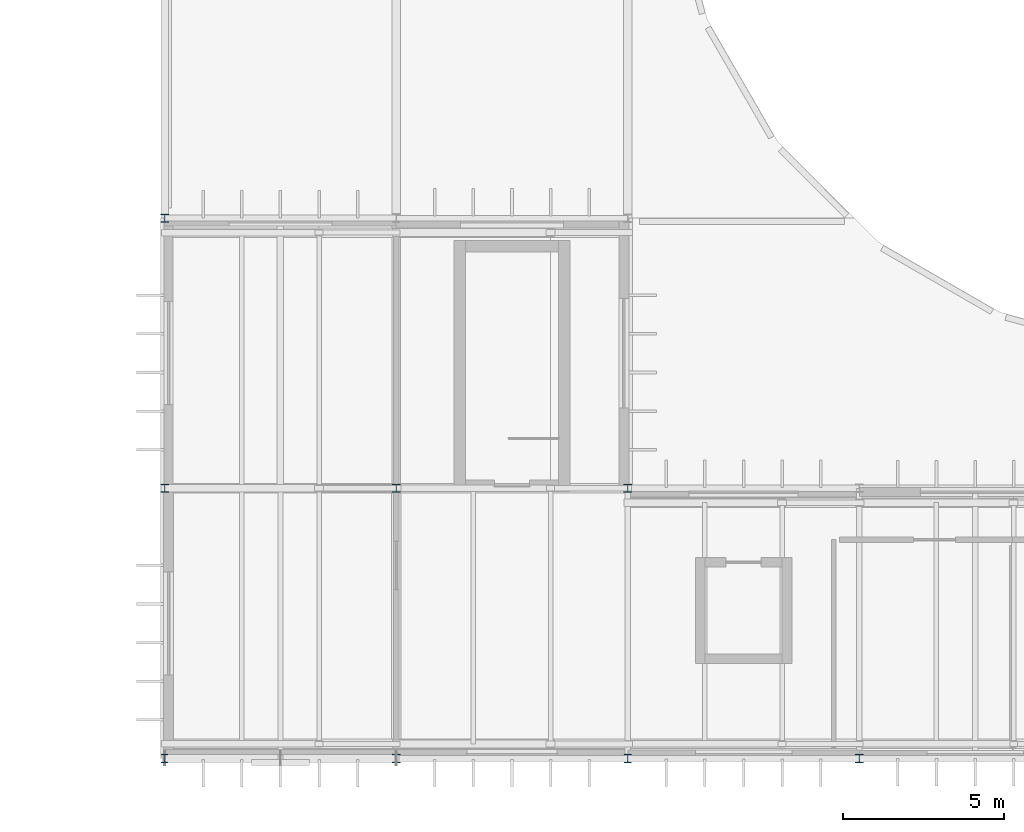
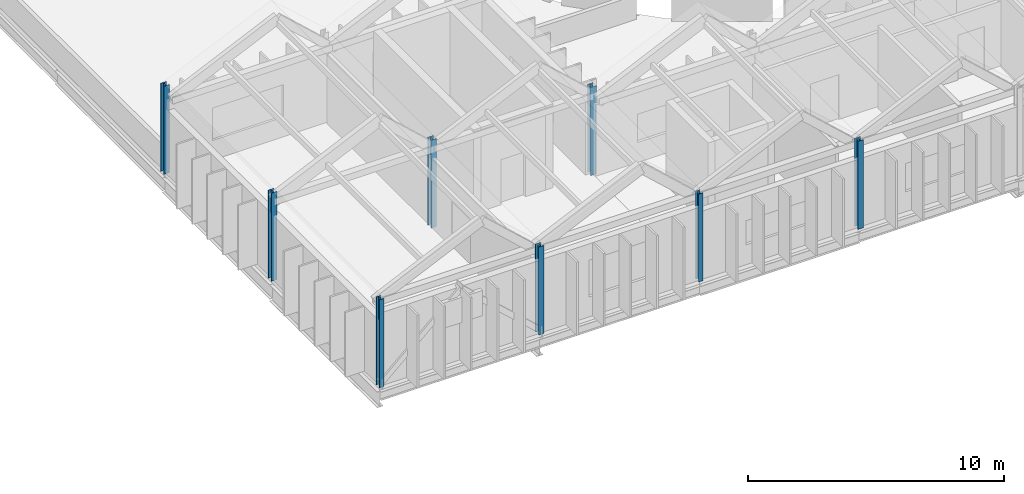
# One storey, part 4 of 52: 8 columns.
"""IFC4 building model written with IfcOpenShell, lengths in metres."""

from ifc_helpers import new_model, si_unit, direction, frame, origin, origin_2d, place, context, subcontext, project, spatial, i_section, extrude, material, material_profile, profile_set, type_object, element, save


model = new_model("IFC4")

# Units and contexts
model_context = context("Model", 3, precision=1e-05, world=origin(), true_north=direction((0.0, 1.0)))
body_context = subcontext(model_context, "Body", "Model", "MODEL_VIEW")
ifc_project = project(units=[si_unit("LENGTHUNIT", "METRE"), si_unit("AREAUNIT", "SQUARE_METRE"), si_unit("VOLUMEUNIT", "CUBIC_METRE"), si_unit("PLANEANGLEUNIT", "RADIAN"), si_unit("MASSUNIT", "GRAM", prefix="KILO")], contexts=[model_context])

# Site, building, storey
site_placement = place(None, origin())
site = spatial("IfcSite", under=ifc_project, at=site_placement, CompositionType="ELEMENT")
building_placement = place(site_placement, origin())
building = spatial("IfcBuilding", under=site, at=building_placement, Name="Qelthora Terrace Specialist Clinic", CompositionType="ELEMENT")
storey_placement = place(building_placement, frame((0.0, 0.0, 17.39990234375)))
storey = spatial("IfcBuildingStorey", under=building, at=storey_placement, Name="L04", CompositionType="ELEMENT", Elevation=17.39990234375)

# Columns
ifc_material = material(Name="Steel S355", Category="steel")
ifc_material_profile_1 = material_profile(ifc_material, i_section(OverallWidth=0.2041015625, OverallDepth=0.257080078125, WebThickness=0.0087890625, FlangeThickness=0.015625, FilletRadius=0.012939453125, at=origin_2d()), Name="W250X67")
ifc_profile_set_1 = profile_set([ifc_material_profile_1], Name="Steel S355")
column_type_1 = type_object("IfcColumnType", Name="COL-W250X67", PredefinedType="COLUMN", material=ifc_profile_set_1)
for number, where, z_axis, x_axis, name in (
    (1, (93.60009765625, 33.60009765625, 0.0), (0.0, 0.0, 1.0), (1.0, 0.0, 0.0), "Column L04-151"),
    (2, (108.0, 33.60009765625, 0.0), (0.0, 0.0, 1.0), (1.0, 0.0, 0.0), "Column L04-179"),
):
    element("IfcColumn", number, at=place(storey_placement, frame(where, z_axis=z_axis, x_axis=x_axis)), inside=storey, type_object=column_type_1, Name=name, PredefinedType="COLUMN", context=body_context, shape_type="SweptSolid", body=[
        extrude(i_section(OverallWidth=0.2041015625, OverallDepth=0.257080078125, WebThickness=0.0087890625, FlangeThickness=0.015625, FilletRadius=0.012939453125, at=origin_2d()), origin(), (0.0, 0.0, 1.0), 4.2001953125),
    ])
ifc_material_profile_2 = material_profile(ifc_material, i_section(OverallWidth=0.25390625, OverallDepth=0.2529296875, WebThickness=0.008544921875, FlangeThickness=0.01416015625, FilletRadius=0.012939453125, at=origin_2d()), Name="W250X73")
ifc_profile_set_2 = profile_set([ifc_material_profile_2], Name="Steel S355")
column_type_2 = type_object("IfcColumnType", Name="COL-W250X73", PredefinedType="COLUMN", material=ifc_profile_set_2)
column_placement = place(storey_placement, frame((100.800048828125, 42.0, 0.0), z_axis=(0.0, 0.0, 1.0), x_axis=(1.0, 0.0, 0.0)))
element("IfcColumn", 3, at=column_placement, inside=storey, type_object=column_type_2, Name="Column L04-166", PredefinedType="COLUMN", context=body_context, shape_type="SweptSolid", body=[
    extrude(i_section(OverallWidth=0.25390625, OverallDepth=0.2529296875, WebThickness=0.008544921875, FlangeThickness=0.01416015625, FilletRadius=0.012939453125, at=origin_2d()), origin(), (0.0, 0.0, 1.0), 4.2001953125),
])
ifc_material_profile_3 = material_profile(ifc_material, i_section(OverallWidth=0.2548828125, OverallDepth=0.256103515625, WebThickness=0.009521484375, FlangeThickness=0.015625, FilletRadius=0.012939453125, at=origin_2d()), Name="W250X80")
ifc_profile_set_3 = profile_set([ifc_material_profile_3], Name="Steel S355")
column_type_3 = type_object("IfcColumnType", Name="COL-W250X80", PredefinedType="COLUMN", material=ifc_profile_set_3)
for number, where, z_axis, x_axis, name in (
    (4, (93.60009765625, 50.39990234375, 0.0), (0.0, 0.0, 1.0), (1.0, 0.0, 0.0), "Column L04-153"),
    (5, (100.800048828125, 33.60009765625, 0.0), (0.0, 0.0, 1.0), (1.0, 0.0, 0.0), "Column L04-165"),
):
    element("IfcColumn", number, at=place(storey_placement, frame(where, z_axis=z_axis, x_axis=x_axis)), inside=storey, type_object=column_type_3, Name=name, PredefinedType="COLUMN", context=body_context, shape_type="SweptSolid", body=[
        extrude(i_section(OverallWidth=0.2548828125, OverallDepth=0.256103515625, WebThickness=0.009521484375, FlangeThickness=0.015625, FilletRadius=0.012939453125, at=origin_2d()), origin(), (0.0, 0.0, 1.0), 4.2001953125),
    ])
ifc_material_profile_4 = material_profile(ifc_material, i_section(OverallWidth=0.256103515625, OverallDepth=0.260009765625, WebThickness=0.0107421875, FlangeThickness=0.017333984375, FilletRadius=0.012939453125, at=origin_2d()), Name="W250X89")
ifc_profile_set_4 = profile_set([ifc_material_profile_4], Name="Steel S355")
column_type_4 = type_object("IfcColumnType", Name="COL-W250X89", PredefinedType="COLUMN", material=ifc_profile_set_4)
for number, where, z_axis, x_axis, name in (
    (6, (93.60009765625, 42.0, 0.0), (0.0, 0.0, 1.0), (1.0, 0.0, 0.0), "Column L04-152"),
    (7, (108.0, 42.0, 0.0), (0.0, 0.0, 1.0), (1.0, 0.0, 0.0), "Column L04-180"),
    (8, (115.199951171875, 33.60009765625, 0.0), (0.0, 0.0, 1.0), (1.0, 0.0, 0.0), "Column L04-192"),
):
    element("IfcColumn", number, at=place(storey_placement, frame(where, z_axis=z_axis, x_axis=x_axis)), inside=storey, type_object=column_type_4, Name=name, PredefinedType="COLUMN", context=body_context, shape_type="SweptSolid", body=[
        extrude(i_section(OverallWidth=0.256103515625, OverallDepth=0.260009765625, WebThickness=0.0107421875, FlangeThickness=0.017333984375, FilletRadius=0.012939453125, at=origin_2d()), origin(), (0.0, 0.0, 1.0), 4.2001953125),
    ])

save(model, "model.ifc")
